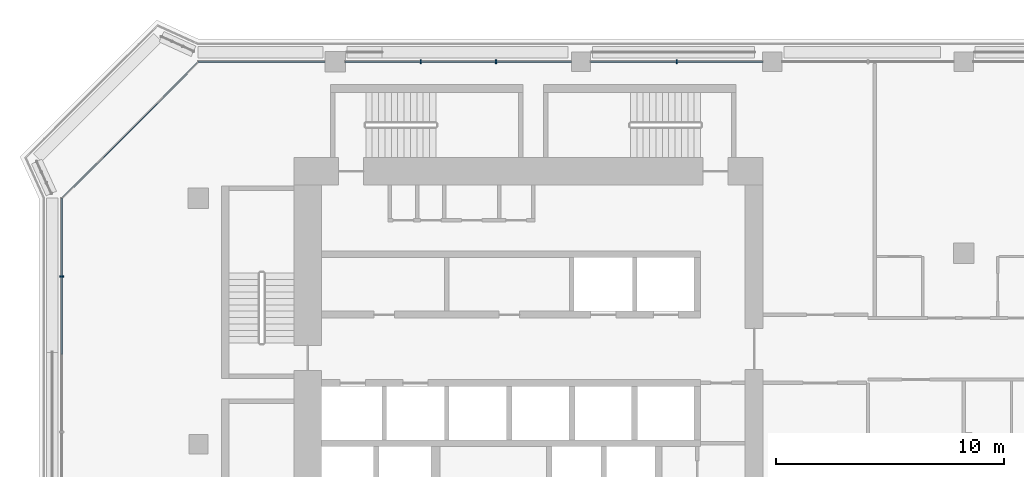
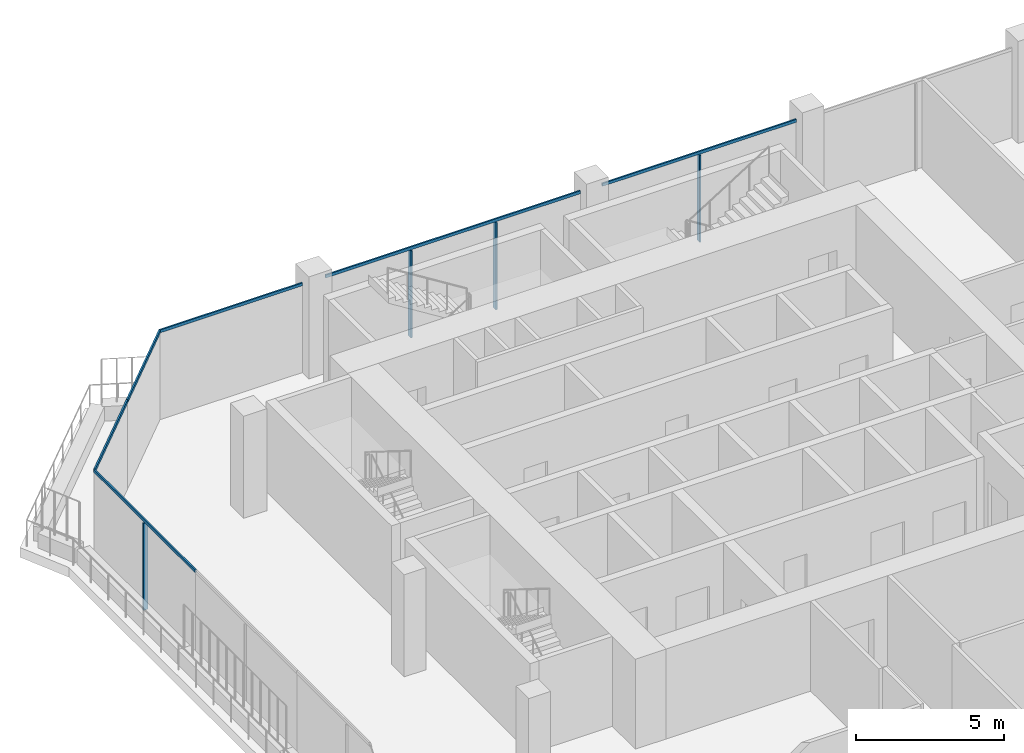
# One storey, part 5 of 23: 10 members, 3 elements without a shape of their own.
"""IFC4 building model written with IfcOpenShell, lengths in metres."""

from ifc_helpers import new_model, si_unit, direction, frame, origin, origin_2d, place, context, subcontext, project, spatial, rectangle, extrude, material, layer, layer_set, material_profile, profile_set, type_object, element, aggregate, save


model = new_model("IFC4")

# Units and contexts
model_context = context("Model", 3, precision=1e-05, world=origin(), true_north=direction((0.0, 1.0)))
body_context = subcontext(model_context, "Body", "Model", "MODEL_VIEW")
ifc_project = project(units=[si_unit("LENGTHUNIT", "METRE"), si_unit("AREAUNIT", "SQUARE_METRE"), si_unit("VOLUMEUNIT", "CUBIC_METRE"), si_unit("PLANEANGLEUNIT", "RADIAN"), si_unit("MASSUNIT", "GRAM", prefix="KILO")], contexts=[model_context])

# Site, building, storey
site_placement = place(None, origin())
site = spatial("IfcSite", under=ifc_project, at=site_placement, CompositionType="ELEMENT")
building_placement = place(site_placement, origin())
building = spatial("IfcBuilding", under=site, at=building_placement, Name="Kawkab Arch Medical Tower", CompositionType="ELEMENT")
storey_placement = place(building_placement, frame((0.0, 0.0, 268.39990234375)))
storey = spatial("IfcBuildingStorey", under=building, at=storey_placement, Name="L62", CompositionType="ELEMENT", Elevation=268.39990234375)

# Curtain wall, member
ifc_material_1 = material(Name="Bronze anodised aluminium curtain wall frame", Category="aluminium")
ifc_layer_1 = layer(ifc_material_1, 0.159912109375)
ifc_layer_set_1 = layer_set([ifc_layer_1], Name="Bronze anodised aluminium curtain wall frame")
curtain_wall_type_1 = type_object("IfcCurtainWallType", Name="CW1 ward curtain wall", PredefinedType="NOTDEFINED", material=ifc_layer_set_1)
placement = place(storey_placement, origin())
curtain_wall_1 = element("IfcCurtainWall", 1, at=placement, inside=storey, type_object=curtain_wall_type_1, Name="CW1 Ward curtain wall R01", PredefinedType="NOTDEFINED")
ifc_material_2 = material(Name="Bronze anodised aluminium curtain wall frame", Category="aluminium")
ifc_material_profile_1 = material_profile(ifc_material_2, rectangle(XDim=0.179931640625, YDim=0.06005859375, at=origin_2d()), Name="AL 60x180")
ifc_profile_set_1 = profile_set([ifc_material_profile_1], Name="Bronze anodised aluminium curtain wall frame")
member_type_1 = type_object("IfcMemberType", Name="CW1 mullion 60 x 180", PredefinedType="MULLION", material=ifc_profile_set_1)
member_1_placement = place(storey_placement, frame((-6.0, -9.419921875, 0.0), z_axis=(0.0, 0.0, 1.0), x_axis=(1.0, 0.0, 0.0)))
member_1 = element("IfcMember", 2, at=member_1_placement, type_object=member_type_1, Name="CW1 mullion 1.1", PredefinedType="MULLION", context=body_context, shape_type="SweptSolid", body=[
    extrude(rectangle(XDim=0.179931640625, YDim=0.06005859375, at=origin_2d()), origin(), (0.0, 0.0, 1.0), 3.580078125),
])

# Curtain wall, members
curtain_wall_2 = element("IfcCurtainWall", 3, at=placement, inside=storey, type_object=curtain_wall_type_1, Name="CW1 Ward curtain wall R11", PredefinedType="NOTDEFINED")
member_2_placement = place(storey_placement, frame((21.0, 0.0, 0.0), z_axis=(0.0, 0.0, 1.0), x_axis=(0.0, -1.0, 0.0)))
member_2 = element("IfcMember", 4, at=member_2_placement, type_object=member_type_1, Name="CW1 mullion 5.1", PredefinedType="MULLION", context=body_context, shape_type="SweptSolid", body=[
    extrude(rectangle(XDim=0.179931640625, YDim=0.06005859375, at=origin_2d()), origin(), (0.0, 0.0, 1.0), 3.580078125),
])
member_3_placement = place(storey_placement, frame((13.066650390625, 0.0, 0.0), z_axis=(0.0, 0.0, 1.0), x_axis=(0.0, -1.0, 0.0)))
member_3 = element("IfcMember", 5, at=member_3_placement, type_object=member_type_1, Name="CW1 mullion 6.1", PredefinedType="MULLION", context=body_context, shape_type="SweptSolid", body=[
    extrude(rectangle(XDim=0.179931640625, YDim=0.06005859375, at=origin_2d()), origin(), (0.0, 0.0, 1.0), 3.580078125),
])
member_4_placement = place(storey_placement, frame((9.75830078125, 0.0, 0.0), z_axis=(0.0, 0.0, 1.0), x_axis=(0.0, -1.0, 0.0)))
member_4 = element("IfcMember", 6, at=member_4_placement, type_object=member_type_1, Name="CW1 mullion 6.2", PredefinedType="MULLION", context=body_context, shape_type="SweptSolid", body=[
    extrude(rectangle(XDim=0.179931640625, YDim=0.06005859375, at=origin_2d()), origin(), (0.0, 0.0, 1.0), 3.580078125),
])

# Member
ifc_material_3 = material(Name="Bronze anodised aluminium curtain wall frame", Category="aluminium")
ifc_material_profile_2 = material_profile(ifc_material_3, rectangle(XDim=0.06005859375, YDim=0.1201171875, at=origin_2d()), Name="AL 60x120")
ifc_profile_set_2 = profile_set([ifc_material_profile_2], Name="Bronze anodised aluminium curtain wall frame")
member_type_2 = type_object("IfcMemberType", Name="CW1 transom 120 x 60", PredefinedType="USERDEFINED", material=ifc_profile_set_2)
member_5_placement = place(storey_placement, frame((-6.0, -6.0, 3.64013671875), z_axis=(0.0, -1.0, 0.0), x_axis=(1.0, 0.0, 0.0)))
member_5 = element("IfcMember", 7, at=member_5_placement, type_object=member_type_2, Name="CW1 transom 1", ObjectType="TRANSOM", PredefinedType="USERDEFINED", context=body_context, shape_type="SweptSolid", body=[
    extrude(rectangle(XDim=0.06005859375, YDim=0.1201171875, at=origin_2d()), origin(), (0.0, 0.0, 1.0), 6.840087890625),
])

aggregate(curtain_wall_1, [member_5, member_1])

member_6_placement = place(storey_placement, frame((24.77490234375, 0.0, 3.64013671875), z_axis=(-1.0, 0.0, 0.0), x_axis=(0.0, -1.0, 0.0)))
member_6 = element("IfcMember", 8, at=member_6_placement, type_object=member_type_2, Name="CW1 transom 5", ObjectType="TRANSOM", PredefinedType="USERDEFINED", context=body_context, shape_type="SweptSolid", body=[
    extrude(rectangle(XDim=0.06005859375, YDim=0.1201171875, at=origin_2d()), origin(), (0.0, 0.0, 1.0), 7.5498046875),
])

member_7_placement = place(storey_placement, frame((16.375, 0.0, 3.64013671875), z_axis=(-1.0, 0.0, 0.0), x_axis=(0.0, -1.0, 0.0)))
member_7 = element("IfcMember", 9, at=member_7_placement, type_object=member_type_2, Name="CW1 transom 6", ObjectType="TRANSOM", PredefinedType="USERDEFINED", context=body_context, shape_type="SweptSolid", body=[
    extrude(rectangle(XDim=0.06005859375, YDim=0.1201171875, at=origin_2d()), origin(), (0.0, 0.0, 1.0), 9.925048828125),
])

member_8_placement = place(storey_placement, frame((5.550048828125, 0.0, 3.64013671875), z_axis=(-1.0, 0.0, 0.0), x_axis=(0.0, -1.0, 0.0)))
member_8 = element("IfcMember", 10, at=member_8_placement, type_object=member_type_2, Name="CW1 transom 7", ObjectType="TRANSOM", PredefinedType="USERDEFINED", context=body_context, shape_type="SweptSolid", body=[
    extrude(rectangle(XDim=0.06005859375, YDim=0.1201171875, at=origin_2d()), origin(), (0.0, 0.0, 1.0), 5.550048828125),
])

aggregate(curtain_wall_2, [member_6, member_2, member_7, member_3, member_4, member_8])

# Curtain wall, members
ifc_material_4 = material(Name="Bronze anodised aluminium curtain wall frame", Category="aluminium")
ifc_layer_2 = layer(ifc_material_4, 0.159912109375)
ifc_layer_set_2 = layer_set([ifc_layer_2], Name="Bronze anodised aluminium curtain wall frame")
curtain_wall_type_2 = type_object("IfcCurtainWallType", Name="CW2 chamfer curtain wall", PredefinedType="NOTDEFINED", material=ifc_layer_set_2)
curtain_wall_3 = element("IfcCurtainWall", 11, at=placement, inside=storey, type_object=curtain_wall_type_2, Name="CW2 Chamfer curtain wall R12", PredefinedType="NOTDEFINED")
ifc_material_5 = material(Name="Bronze anodised aluminium curtain wall frame", Category="aluminium")
ifc_material_profile_3 = material_profile(ifc_material_5, rectangle(XDim=0.06005859375, YDim=0.139892578125, at=origin_2d()), Name="AL 60x140")
ifc_profile_set_3 = profile_set([ifc_material_profile_3], Name="Bronze anodised aluminium curtain wall frame")
member_type_3 = type_object("IfcMemberType", Name="CW2 transom 140 x 60", PredefinedType="USERDEFINED", material=ifc_profile_set_3)
member_9_placement = place(storey_placement, frame((0.0, 0.0, 3.630126953125), z_axis=(-0.707106781187, -0.707106781187, 0.0), x_axis=(0.707106781187, -0.707106781187, 0.0)))
member_9 = element("IfcMember", 12, at=member_9_placement, type_object=member_type_3, Name="CW2 transom 1", ObjectType="TRANSOM", PredefinedType="USERDEFINED", context=body_context, shape_type="SweptSolid", body=[
    extrude(rectangle(XDim=0.06005859375, YDim=0.139892578125, at=origin_2d()), origin(), (0.0, 0.0, 1.0), 4.24267578125),
])
member_10_placement = place(storey_placement, frame((-3.0, -3.0, 3.630126953125), z_axis=(-0.707106781187, -0.707106781187, 0.0), x_axis=(0.707106781187, -0.707106781187, 0.0)))
member_10 = element("IfcMember", 13, at=member_10_placement, type_object=member_type_3, Name="CW2 transom 2", ObjectType="TRANSOM", PredefinedType="USERDEFINED", context=body_context, shape_type="SweptSolid", body=[
    extrude(rectangle(XDim=0.06005859375, YDim=0.139892578125, at=origin_2d()), origin(), (0.0, 0.0, 1.0), 4.24267578125),
])
aggregate(curtain_wall_3, [member_9, member_10])

save(model, "model.ifc")
